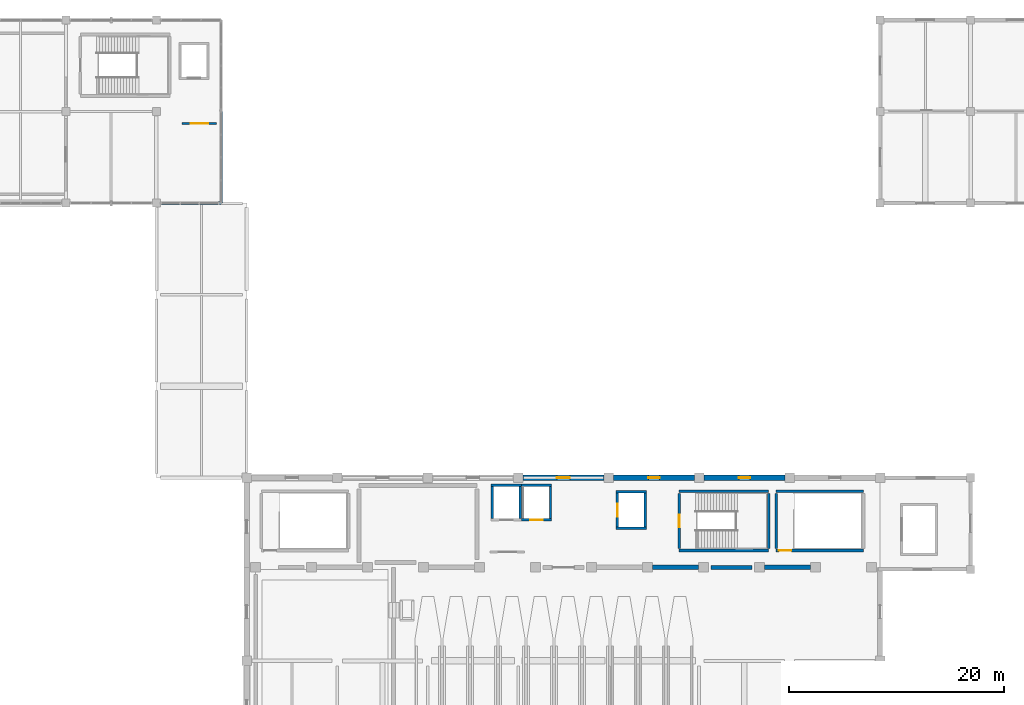
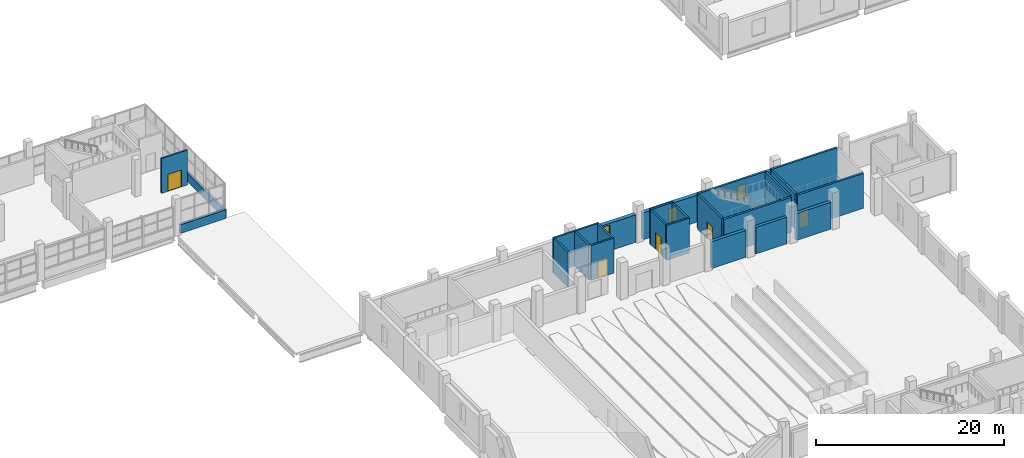
# One storey, part 100 of 117: 26 walls, 5 doors, 3 windows, 8 openings.
"""IFC4 building model written with IfcOpenShell, lengths in metres."""

from ifc_helpers import new_model, si_unit, direction, frame, frame_2d, origin, place, context, subcontext, project, spatial, rectangle, extrude, material, layer, layer_set, type_object, element, fill, save


model = new_model("IFC4")

# Units and contexts
model_context = context("Model", 3, precision=1e-05, world=origin(), true_north=direction((0.0, 1.0)))
body_context = subcontext(model_context, "Body", "Model", "MODEL_VIEW")
ifc_project = project(units=[si_unit("LENGTHUNIT", "METRE"), si_unit("AREAUNIT", "SQUARE_METRE"), si_unit("VOLUMEUNIT", "CUBIC_METRE"), si_unit("PLANEANGLEUNIT", "RADIAN"), si_unit("MASSUNIT", "GRAM", prefix="KILO")], contexts=[model_context])

# Site, building, storey
site_placement = place(None, origin())
site = spatial("IfcSite", under=ifc_project, at=site_placement, CompositionType="ELEMENT")
building_placement = place(site_placement, origin())
building = spatial("IfcBuilding", under=site, at=building_placement, Name="Solvento Point Concert Hall", CompositionType="ELEMENT")
storey_placement = place(building_placement, frame((0.0, 0.0, 5.39990234375)))
storey = spatial("IfcBuildingStorey", under=building, at=storey_placement, Name="L01", CompositionType="ELEMENT", Elevation=5.39990234375)

# Wall, opening, door
ifc_material_1 = material(Name="Acoustic Double-Stud Gypsum Partition")
ifc_layer_1 = layer(ifc_material_1, 0.2080078125)
ifc_layer_set_1 = layer_set([ifc_layer_1], Name="Acoustic Double-Stud Gypsum Partition")
wall_type_1 = type_object("IfcWallType", Name="AcousticPartition_208", PredefinedType="PARTITIONING", material=ifc_layer_set_1)
wall_1_placement = place(storey_placement, frame((68.39990234375, 126.39990234375, 0.0), z_axis=(0.0, 0.0, 1.0), x_axis=(1.0, 0.0, 0.0)))
wall_1 = element("IfcWall", 1, at=wall_1_placement, inside=storey, type_object=wall_type_1, Name="Lift lobby partition LP-03 L01", PredefinedType="PARTITIONING", context=body_context, shape_type="SweptSolid", body=[
    extrude(rectangle(XDim=3.2001953125, YDim=0.2080078125, at=frame_2d((1.60009765625, 0.0))), origin(), (0.0, 0.0, 1.0), 4.530029296875),
])
opening_1_placement = place(wall_1_placement, frame((0.77490234375, 0.0, 0.0)))
opening_1 = element("IfcOpeningElement", 2, at=opening_1_placement, cuts=wall_1, Name="Opening D-FL1", PredefinedType="OPENING", context=body_context, shape_type="SweptSolid", body=[
    extrude(rectangle(XDim=1.64990234375, YDim=2.199951171875, at=frame_2d((0.824951171875, 1.10009765625))), frame((0.0, 0.114013671875, 0.0), z_axis=(0.0, -1.0, 0.0), x_axis=(1.0, 0.0, 0.0)), (0.0, 0.0, 1.0), 0.22802734375),
])
ifc_material_2 = material(Name="Hollow Metal Acoustic Fire Door")
door_type_1 = type_object("IfcDoorType", Name="FireLobbyDoor_1600", OperationType="DOUBLE_DOOR_SINGLE_SWING", PredefinedType="DOOR", material=ifc_material_2)
door_1_placement = place(opening_1_placement, origin())
door_1 = element("IfcDoor", 3, at=door_1_placement, inside=storey, type_object=door_type_1, Name="Lift lobby door LP-03 L01", OperationType="DOUBLE_DOOR_SINGLE_SWING", OverallHeight=2.199951171875, OverallWidth=1.64990234375, PredefinedType="DOOR", context=body_context, shape_type="SweptSolid", body=[
    extrude(rectangle(XDim=1.64990234375, YDim=2.199951171875, at=frame_2d((0.824951171875, 1.10009765625))), frame((0.0, 0.02490234375, 0.0), z_axis=(0.0, -1.0, 0.0), x_axis=(1.0, 0.0, 0.0)), (0.0, 0.0, 1.0), 0.050048828125),
])
fill(opening_1, door_1)

# Walls
ifc_material_3 = material(Name="Acoustic Double-Stud Gypsum Partition")
ifc_layer_2 = layer(ifc_material_3, 0.364990234375)
ifc_layer_set_2 = layer_set([ifc_layer_2], Name="Acoustic Double-Stud Gypsum Partition")
wall_type_2 = type_object("IfcWallType", Name="AcousticPartition_365", PredefinedType="PARTITIONING", material=ifc_layer_set_2)
wall_2_placement = place(storey_placement, frame((117.5, 85.179931640625, 0.0), z_axis=(0.0, 0.0, 1.0), x_axis=(1.0, 0.0, 0.0)))
element("IfcWall", 4, at=wall_2_placement, inside=storey, type_object=wall_type_2, Name="Interior acoustic partition PW-43 L01", PredefinedType="PARTITIONING", context=body_context, shape_type="SweptSolid", body=[
    extrude(rectangle(XDim=3.800048828125, YDim=0.364990234375, at=frame_2d((1.89990234375, 0.0))), origin(), (0.0, 0.0, 1.0), 3.4501953125),
])
ifc_material_4 = material(Name="Concrete C40/50", Category="concrete")
ifc_layer_3 = layer(ifc_material_4, 0.300048828125)
ifc_layer_set_3 = layer_set([ifc_layer_3], Name="Concrete C40/50")
wall_type_3 = type_object("IfcWallType", Name="CoreShearWall_300", PredefinedType="SHEAR", material=ifc_layer_set_3)
for number, where, z_axis, x_axis, name in (
    (5, (122.85009765625, 86.75, 0.0), (0.0, 0.0, 1.0), (-1.0, 0.0, 0.0), "Stair core shear wall W-SH1 ST-03 L01"),
    (6, (114.550048828125, 92.25, 0.0), (0.0, 0.0, 1.0), (1.0, 0.0, 0.0), "Stair core shear wall W-SH1 ST-03 L01"),
):
    element("IfcWall", number, at=place(storey_placement, frame(where, z_axis=z_axis, x_axis=x_axis)), inside=storey, type_object=wall_type_3, Name=name, PredefinedType="SHEAR", context=body_context, shape_type="SweptSolid", body=[
        extrude(rectangle(XDim=8.300048828125, YDim=0.25, at=frame_2d((4.14990234375, 0.0))), origin(), (0.0, 0.0, 1.0), 4.530029296875),
    ])

# Wall, opening, door
wall_3_placement = place(storey_placement, frame((114.550048828125, 86.949951171875, 0.0), z_axis=(0.0, 0.0, 1.0), x_axis=(0.0, 1.0, 0.0)))
wall_3 = element("IfcWall", 7, at=wall_3_placement, inside=storey, type_object=wall_type_3, Name="Stair core shear wall W-SH1 ST-03 L01", PredefinedType="SHEAR", context=body_context, shape_type="SweptSolid", body=[
    extrude(rectangle(XDim=5.10009765625, YDim=0.25, at=frame_2d((2.550048828125, 0.0))), origin(), (0.0, 0.0, 1.0), 4.530029296875),
])
opening_2_placement = place(wall_3_placement, frame((1.97509765625, 0.0, 0.0)))
opening_2 = element("IfcOpeningElement", 8, at=opening_2_placement, cuts=wall_3, Name="Opening D-ST1", PredefinedType="OPENING", context=body_context, shape_type="SweptSolid", body=[
    extrude(rectangle(XDim=1.14990234375, YDim=2.179931640625, at=frame_2d((0.574951171875, 1.08984375))), frame((0.0, 0.135009765625, 0.0), z_axis=(0.0, -1.0, 0.0), x_axis=(1.0, 0.0, 0.0)), (0.0, 0.0, 1.0), 0.27001953125),
])
ifc_material_5 = material(Name="Hollow Metal Acoustic Fire Door")
door_type_2 = type_object("IfcDoorType", Name="StairFireDoor_1150", OperationType="NOTDEFINED", PredefinedType="DOOR", material=ifc_material_5)
door_2_placement = place(opening_2_placement, origin())
door_2 = element("IfcDoor", 9, at=door_2_placement, inside=storey, type_object=door_type_2, Name="Protected exit stair door ST-03 L01", OperationType="SINGLE_SWING_LEFT", OverallHeight=2.179931640625, OverallWidth=1.14990234375, PredefinedType="DOOR", context=body_context, shape_type="SweptSolid", body=[
    extrude(rectangle(XDim=1.14990234375, YDim=2.179931640625, at=frame_2d((0.574951171875, 1.08984375))), frame((0.0, 0.02490234375, 0.0), z_axis=(0.0, -1.0, 0.0), x_axis=(1.0, 0.0, 0.0)), (0.0, 0.0, 1.0), 0.050048828125),
])
fill(opening_2, door_2)

# Wall
wall_4_placement = place(storey_placement, frame((122.85009765625, 92.050048828125, 0.0), z_axis=(0.0, 0.0, 1.0), x_axis=(0.0, -1.0, 0.0)))
element("IfcWall", 10, at=wall_4_placement, inside=storey, type_object=wall_type_3, Name="Stair core shear wall W-SH1 ST-03 L01", PredefinedType="SHEAR", context=body_context, shape_type="SweptSolid", body=[
    extrude(rectangle(XDim=5.10009765625, YDim=0.25, at=frame_2d((2.550048828125, 0.0))), origin(), (0.0, 0.0, 1.0), 4.530029296875),
])

# Wall, opening, door
wall_5_placement = place(storey_placement, frame((131.64990234375, 86.75, 0.0), z_axis=(0.0, 0.0, 1.0), x_axis=(-1.0, 0.0, 0.0)))
wall_5 = element("IfcWall", 11, at=wall_5_placement, inside=storey, type_object=wall_type_3, Name="Stair core shear wall W-SH1 VOM-04 L01", PredefinedType="SHEAR", context=body_context, shape_type="SweptSolid", body=[
    extrude(rectangle(XDim=8.099853515625, YDim=0.25, at=frame_2d((4.0498046875, 0.0))), origin(), (0.0, 0.0, 1.0), 4.530029296875),
])
opening_3_placement = place(wall_5_placement, frame((6.699951171875, 0.0, 0.0)))
opening_3 = element("IfcOpeningElement", 12, at=opening_3_placement, cuts=wall_5, Name="Opening D-ST1", PredefinedType="OPENING", context=body_context, shape_type="SweptSolid", body=[
    extrude(rectangle(XDim=1.14990234375, YDim=2.179931640625, at=frame_2d((0.574951171875, 1.08984375))), frame((0.0, 0.135009765625, 0.0), z_axis=(0.0, -1.0, 0.0), x_axis=(1.0, 0.0, 0.0)), (0.0, 0.0, 1.0), 0.27001953125),
])
door_3_placement = place(opening_3_placement, origin())
door_3 = element("IfcDoor", 13, at=door_3_placement, inside=storey, type_object=door_type_2, Name="Protected exit stair door VOM-04 L01", OperationType="SINGLE_SWING_LEFT", OverallHeight=2.179931640625, OverallWidth=1.14990234375, PredefinedType="DOOR", context=body_context, shape_type="SweptSolid", body=[
    extrude(rectangle(XDim=1.14990234375, YDim=2.179931640625, at=frame_2d((0.574951171875, 1.08984375))), frame((0.0, 0.02490234375, 0.0), z_axis=(0.0, -1.0, 0.0), x_axis=(1.0, 0.0, 0.0)), (0.0, 0.0, 1.0), 0.050048828125),
])
fill(opening_3, door_3)

# Walls
wall_6_placement = place(storey_placement, frame((123.550048828125, 92.25, 0.0), z_axis=(0.0, 0.0, 1.0), x_axis=(1.0, 0.0, 0.0)))
element("IfcWall", 14, at=wall_6_placement, inside=storey, type_object=wall_type_3, Name="Stair core shear wall W-SH1 VOM-04 L01", PredefinedType="SHEAR", context=body_context, shape_type="SweptSolid", body=[
    extrude(rectangle(XDim=8.099853515625, YDim=0.25, at=frame_2d((4.0498046875, 0.0))), origin(), (0.0, 0.0, 1.0), 4.530029296875),
])
wall_7_placement = place(storey_placement, frame((123.550048828125, 86.949951171875, 0.0), z_axis=(0.0, 0.0, 1.0), x_axis=(0.0, 1.0, 0.0)))
element("IfcWall", 15, at=wall_7_placement, inside=storey, type_object=wall_type_3, Name="Stair core shear wall W-SH1 VOM-04 L01", PredefinedType="SHEAR", context=body_context, shape_type="SweptSolid", body=[
    extrude(rectangle(XDim=5.10009765625, YDim=0.25, at=frame_2d((2.550048828125, 0.0))), origin(), (0.0, 0.0, 1.0), 4.530029296875),
])
for number, where, z_axis, x_axis, name in (
    (16, (108.68994140625, 88.800048828125, 0.0), (0.0, 0.0, 1.0), (1.0, 0.0, 0.0), "Elevator shaft shear wall W-SH1 LF-02 L01"),
    (17, (108.68994140625, 92.199951171875, 0.0), (0.0, 0.0, 1.0), (1.0, 0.0, 0.0), "Elevator shaft shear wall W-SH1 LF-02 L01"),
):
    element("IfcWall", number, at=place(storey_placement, frame(where, z_axis=z_axis, x_axis=x_axis)), inside=storey, type_object=wall_type_3, Name=name, PredefinedType="SHEAR", context=body_context, shape_type="SweptSolid", body=[
        extrude(rectangle(XDim=2.820068359375, YDim=0.219970703125, at=frame_2d((1.41015625, 0.0))), origin(), (0.0, 0.0, 1.0), 4.530029296875),
    ])

# Wall, opening, door
wall_8_placement = place(storey_placement, frame((108.800048828125, 88.909912109375, 0.0), z_axis=(0.0, 0.0, 1.0), x_axis=(0.0, 1.0, 0.0)))
wall_8 = element("IfcWall", 18, at=wall_8_placement, inside=storey, type_object=wall_type_3, Name="Elevator shaft shear wall W-SH1 LF-02 L01", PredefinedType="SHEAR", context=body_context, shape_type="SweptSolid", body=[
    extrude(rectangle(XDim=3.18017578125, YDim=0.219970703125, at=frame_2d((1.590087890625, 0.0))), origin(), (0.0, 0.0, 1.0), 4.530029296875),
])
opening_4_placement = place(wall_8_placement, frame((0.989990234375, 0.0, 0.0)))
opening_4 = element("IfcOpeningElement", 19, at=opening_4_placement, cuts=wall_8, Name="Opening LD-01", PredefinedType="OPENING", context=body_context, shape_type="SweptSolid", body=[
    extrude(rectangle(XDim=1.199951171875, YDim=2.25, at=frame_2d((0.60009765625, 1.125))), frame((0.0, 0.119873046875, 0.0), z_axis=(0.0, -1.0, 0.0), x_axis=(1.0, 0.0, 0.0)), (0.0, 0.0, 1.0), 0.239990234375),
])
ifc_material_6 = material(Name="Hollow Metal Acoustic Fire Door")
door_type_3 = type_object("IfcDoorType", Name="LiftLandingDoor_FF", OperationType="SLIDING_TO_LEFT", PredefinedType="DOOR", material=ifc_material_6)
door_4_placement = place(opening_4_placement, origin())
door_4 = element("IfcDoor", 20, at=door_4_placement, inside=storey, type_object=door_type_3, Name="Elevator landing door LF-02 L01", OperationType="SLIDING_TO_LEFT", OverallHeight=2.25, OverallWidth=1.199951171875, PredefinedType="DOOR", context=body_context, shape_type="SweptSolid", body=[
    extrude(rectangle(XDim=1.199951171875, YDim=2.25, at=frame_2d((0.60009765625, 1.125))), frame((0.0, 0.02490234375, 0.0), z_axis=(0.0, -1.0, 0.0), x_axis=(1.0, 0.0, 0.0)), (0.0, 0.0, 1.0), 0.050048828125),
])
fill(opening_4, door_4)

# Walls
wall_9_placement = place(storey_placement, frame((111.39990234375, 88.909912109375, 0.0), z_axis=(0.0, 0.0, 1.0), x_axis=(0.0, 1.0, 0.0)))
element("IfcWall", 21, at=wall_9_placement, inside=storey, type_object=wall_type_3, Name="Elevator shaft shear wall W-SH1 LF-02 L01", PredefinedType="SHEAR", context=body_context, shape_type="SweptSolid", body=[
    extrude(rectangle(XDim=3.18017578125, YDim=0.219970703125, at=frame_2d((1.590087890625, 0.0))), origin(), (0.0, 0.0, 1.0), 4.530029296875),
])
wall_10_placement = place(storey_placement, frame((97.090087890625, 92.800048828125, 0.0), z_axis=(0.0, 0.0, 1.0), x_axis=(1.0, 0.0, 0.0)))
element("IfcWall", 22, at=wall_10_placement, inside=storey, type_object=wall_type_3, Name="Elevator shaft shear wall W-SH1 LP-01 L01", PredefinedType="SHEAR", context=body_context, shape_type="SweptSolid", body=[
    extrude(rectangle(XDim=2.81982421875, YDim=0.219970703125, at=frame_2d((1.409912109375, 0.0))), origin(), (0.0, 0.0, 1.0), 4.530029296875),
])
for number, where, z_axis, x_axis, name in (
    (23, (97.199951171875, 89.7099609375, 0.0), (0.0, 0.0, 1.0), (0.0, 1.0, 0.0), "Elevator shaft shear wall W-SH1 LP-01 L01"),
    (24, (99.800048828125, 89.7099609375, 0.0), (0.0, 0.0, 1.0), (0.0, 1.0, 0.0), "Elevator shaft shear wall W-SH1 LP-01 L01"),
):
    element("IfcWall", number, at=place(storey_placement, frame(where, z_axis=z_axis, x_axis=x_axis)), inside=storey, type_object=wall_type_3, Name=name, PredefinedType="SHEAR", context=body_context, shape_type="SweptSolid", body=[
        extrude(rectangle(XDim=2.97998046875, YDim=0.219970703125, at=frame_2d((1.489990234375, 0.0))), origin(), (0.0, 0.0, 1.0), 4.530029296875),
    ])

# Wall, opening, door
wall_11_placement = place(storey_placement, frame((99.909912109375, 89.60009765625, 0.0), z_axis=(0.0, 0.0, 1.0), x_axis=(1.0, 0.0, 0.0)))
wall_11 = element("IfcWall", 25, at=wall_11_placement, inside=storey, type_object=wall_type_3, Name="Elevator shaft shear wall W-SH1 LP-02 L01", PredefinedType="SHEAR", context=body_context, shape_type="SweptSolid", body=[
    extrude(rectangle(XDim=2.800048828125, YDim=0.219970703125, at=frame_2d((1.39990234375, 0.0))), origin(), (0.0, 0.0, 1.0), 4.530029296875),
])
opening_5_placement = place(wall_11_placement, frame((0.81494140625, 0.0, 0.0)))
opening_5 = element("IfcOpeningElement", 26, at=opening_5_placement, cuts=wall_11, Name="Opening LD-02", PredefinedType="OPENING", context=body_context, shape_type="SweptSolid", body=[
    extrude(rectangle(XDim=1.14990234375, YDim=2.199951171875, at=frame_2d((0.574951171875, 1.10009765625))), frame((0.0, 0.119873046875, 0.0), z_axis=(0.0, -1.0, 0.0), x_axis=(1.0, 0.0, 0.0)), (0.0, 0.0, 1.0), 0.239990234375),
])
ifc_material_7 = material(Name="Hollow Metal Acoustic Fire Door")
door_type_4 = type_object("IfcDoorType", Name="LiftLandingDoor_Pass", OperationType="SLIDING_TO_LEFT", PredefinedType="DOOR", material=ifc_material_7)
door_5_placement = place(opening_5_placement, origin())
door_5 = element("IfcDoor", 27, at=door_5_placement, inside=storey, type_object=door_type_4, Name="Elevator landing door LP-02 L01", OperationType="SLIDING_TO_LEFT", OverallHeight=2.199951171875, OverallWidth=1.14990234375, PredefinedType="DOOR", context=body_context, shape_type="SweptSolid", body=[
    extrude(rectangle(XDim=1.14990234375, YDim=2.199951171875, at=frame_2d((0.574951171875, 1.10009765625))), frame((0.0, 0.02490234375, 0.0), z_axis=(0.0, -1.0, 0.0), x_axis=(1.0, 0.0, 0.0)), (0.0, 0.0, 1.0), 0.050048828125),
])
fill(opening_5, door_5)

# Walls
wall_12_placement = place(storey_placement, frame((99.909912109375, 92.800048828125, 0.0), z_axis=(0.0, 0.0, 1.0), x_axis=(1.0, 0.0, 0.0)))
element("IfcWall", 28, at=wall_12_placement, inside=storey, type_object=wall_type_3, Name="Elevator shaft shear wall W-SH1 LP-02 L01", PredefinedType="SHEAR", context=body_context, shape_type="SweptSolid", body=[
    extrude(rectangle(XDim=2.800048828125, YDim=0.219970703125, at=frame_2d((1.39990234375, 0.0))), origin(), (0.0, 0.0, 1.0), 4.530029296875),
])
wall_13_placement = place(storey_placement, frame((102.60009765625, 89.7099609375, 0.0), z_axis=(0.0, 0.0, 1.0), x_axis=(0.0, 1.0, 0.0)))
element("IfcWall", 29, at=wall_13_placement, inside=storey, type_object=wall_type_3, Name="Elevator shaft shear wall W-SH1 LP-02 L01", PredefinedType="SHEAR", context=body_context, shape_type="SweptSolid", body=[
    extrude(rectangle(XDim=2.97998046875, YDim=0.219970703125, at=frame_2d((1.489990234375, 0.0))), origin(), (0.0, 0.0, 1.0), 4.530029296875),
])
ifc_material_8 = material(Name="Concrete C40/50", Category="concrete")
ifc_layer_4 = layer(ifc_material_8, 0.39990234375)
ifc_layer_set_4 = layer_set([ifc_layer_4], Name="Concrete C40/50")
wall_type_4 = type_object("IfcWallType", Name="DrumShearWall_400", PredefinedType="SHEAR", material=ifc_layer_set_4)
for number, where, z_axis, x_axis, name in (
    (30, (112.080078125, 85.199951171875, 0.0), (0.0, 0.0, 1.0), (1.0, 0.0, 0.0), "Symphonic acoustic drum shear wall W-DR1 L01"),
    (31, (122.47998046875, 85.199951171875, 0.0), (0.0, 0.0, 1.0), (1.0, 0.0, 0.0), "Symphonic acoustic drum shear wall W-DR1 L01"),
):
    element("IfcWall", number, at=place(storey_placement, frame(where, z_axis=z_axis, x_axis=x_axis)), inside=storey, type_object=wall_type_4, Name=name, PredefinedType="SHEAR", context=body_context, shape_type="SweptSolid", body=[
        extrude(rectangle(XDim=4.239990234375, YDim=0.39990234375, at=frame_2d((2.1201171875, 0.0))), origin(), (0.0, 0.0, 1.0), 3.47998046875),
    ])

# Wall, opening, window
ifc_material_9 = material(Name="Concrete C40/50", Category="concrete")
ifc_layer_5 = layer(ifc_material_9, 0.47998046875)
ifc_layer_set_5 = layer_set([ifc_layer_5], Name="Concrete C40/50")
wall_type_5 = type_object("IfcWallType", Name="ExtWall_V1_Drum_480", PredefinedType="SOLIDWALL", material=ifc_layer_set_5)
wall_14_placement = place(storey_placement, frame((100.030029296875, 93.5, 0.0), z_axis=(0.0, 0.0, 1.0), x_axis=(1.0, 0.0, 0.0)))
wall_14 = element("IfcWall", 32, at=wall_14_placement, inside=storey, type_object=wall_type_5, Name="Exterior architectural concrete wall EW-46 L01", PredefinedType="SOLIDWALL", context=body_context, shape_type="SweptSolid", body=[
    extrude(rectangle(XDim=7.5400390625, YDim=0.47998046875, at=frame_2d((3.77001953125, 0.0))), origin(), (0.0, 0.0, 1.0), 3.57421875),
])
opening_6_placement = place(wall_14_placement, frame((3.169921875, 0.0, 0.949951171875)))
opening_6 = element("IfcOpeningElement", 33, at=opening_6_placement, cuts=wall_14, Name="Opening WN-95", PredefinedType="OPENING", context=body_context, shape_type="SweptSolid", body=[
    extrude(rectangle(XDim=1.199951171875, YDim=2.39990234375, at=frame_2d((0.60009765625, 1.199951171875))), frame((0.0, 0.25, 0.0), z_axis=(0.0, -1.0, 0.0), x_axis=(1.0, 0.0, 0.0)), (0.0, 0.0, 1.0), 0.5),
])
ifc_material_10 = material(Name="Hurricane Laminated Low-E Glass", Category="glass")
window_type_1 = type_object("IfcWindowType", Name="Win_V1_DrumSlot_L01", PartitioningType="SINGLE_PANEL", PredefinedType="WINDOW", material=ifc_material_10)
window_1_placement = place(opening_6_placement, origin())
window_1 = element("IfcWindow", 34, at=window_1_placement, inside=storey, type_object=window_type_1, Name="Impact acoustic window WN-95", OverallHeight=2.39990234375, OverallWidth=1.199951171875, PartitioningType="SINGLE_PANEL", PredefinedType="WINDOW", context=body_context, shape_type="SweptSolid", body=[
    extrude(rectangle(XDim=1.199951171875, YDim=2.39990234375, at=frame_2d((0.60009765625, 1.199951171875))), frame((0.0, 0.030029296875, 0.0), z_axis=(0.0, -1.0, 0.0), x_axis=(1.0, 0.0, 0.0)), (0.0, 0.0, 1.0), 0.06005859375),
])
fill(opening_6, window_1)

wall_15_placement = place(storey_placement, frame((108.429931640625, 93.5, 0.0), z_axis=(0.0, 0.0, 1.0), x_axis=(1.0, 0.0, 0.0)))
wall_15 = element("IfcWall", 35, at=wall_15_placement, inside=storey, type_object=wall_type_5, Name="Exterior architectural concrete wall EW-46 L01", PredefinedType="SOLIDWALL", context=body_context, shape_type="SweptSolid", body=[
    extrude(rectangle(XDim=7.5400390625, YDim=0.47998046875, at=frame_2d((3.77001953125, 0.0))), origin(), (0.0, 0.0, 1.0), 3.485107421875),
])
opening_7_placement = place(wall_15_placement, frame((3.2451171875, 0.0, 0.949951171875)))
opening_7 = element("IfcOpeningElement", 36, at=opening_7_placement, cuts=wall_15, Name="Opening WN-89", PredefinedType="OPENING", context=body_context, shape_type="SweptSolid", body=[
    extrude(rectangle(XDim=1.050048828125, YDim=1.800048828125, at=frame_2d((0.52490234375, 0.89990234375))), frame((0.0, 0.25, 0.0), z_axis=(0.0, -1.0, 0.0), x_axis=(1.0, 0.0, 0.0)), (0.0, 0.0, 1.0), 0.5),
])
ifc_material_11 = material(Name="Hurricane Laminated Low-E Glass", Category="glass")
window_type_2 = type_object("IfcWindowType", Name="Win_NarrowPier_1050", PartitioningType="SINGLE_PANEL", PredefinedType="WINDOW", material=ifc_material_11)
window_2_placement = place(opening_7_placement, origin())
window_2 = element("IfcWindow", 37, at=window_2_placement, inside=storey, type_object=window_type_2, Name="Impact acoustic window WN-89", OverallHeight=1.800048828125, OverallWidth=1.050048828125, PartitioningType="SINGLE_PANEL", PredefinedType="WINDOW", context=body_context, shape_type="SweptSolid", body=[
    extrude(rectangle(XDim=1.050048828125, YDim=1.800048828125, at=frame_2d((0.52490234375, 0.89990234375))), frame((0.0, 0.030029296875, 0.0), z_axis=(0.0, -1.0, 0.0), x_axis=(1.0, 0.0, 0.0)), (0.0, 0.0, 1.0), 0.06005859375),
])
fill(opening_7, window_2)

wall_16_placement = place(storey_placement, frame((116.830078125, 93.5, 0.0), z_axis=(0.0, 0.0, 1.0), x_axis=(1.0, 0.0, 0.0)))
wall_16 = element("IfcWall", 38, at=wall_16_placement, inside=storey, type_object=wall_type_5, Name="Exterior architectural concrete wall EW-46 L01", PredefinedType="SOLIDWALL", context=body_context, shape_type="SweptSolid", body=[
    extrude(rectangle(XDim=7.5400390625, YDim=0.47998046875, at=frame_2d((3.77001953125, 0.0))), origin(), (0.0, 0.0, 1.0), 3.4169921875),
])
opening_8_placement = place(wall_16_placement, frame((3.2451171875, 0.0, 0.949951171875)))
opening_8 = element("IfcOpeningElement", 39, at=opening_8_placement, cuts=wall_16, Name="Opening WN-89", PredefinedType="OPENING", context=body_context, shape_type="SweptSolid", body=[
    extrude(rectangle(XDim=1.050048828125, YDim=1.800048828125, at=frame_2d((0.52490234375, 0.89990234375))), frame((0.0, 0.25, 0.0), z_axis=(0.0, -1.0, 0.0), x_axis=(1.0, 0.0, 0.0)), (0.0, 0.0, 1.0), 0.5),
])
window_3_placement = place(opening_8_placement, origin())
window_3 = element("IfcWindow", 40, at=window_3_placement, inside=storey, type_object=window_type_2, Name="Impact acoustic window WN-89", OverallHeight=1.800048828125, OverallWidth=1.050048828125, PartitioningType="SINGLE_PANEL", PredefinedType="WINDOW", context=body_context, shape_type="SweptSolid", body=[
    extrude(rectangle(XDim=1.050048828125, YDim=1.800048828125, at=frame_2d((0.52490234375, 0.89990234375))), frame((0.0, 0.030029296875, 0.0), z_axis=(0.0, -1.0, 0.0), x_axis=(1.0, 0.0, 0.0)), (0.0, 0.0, 1.0), 0.06005859375),
])
fill(opening_8, window_3)

# Walls
ifc_material_12 = material(Name="Concrete C40/50", Category="concrete")
ifc_layer_6 = layer(ifc_material_12, 0.260009765625)
ifc_layer_set_6 = layer_set([ifc_layer_6], Name="Concrete C40/50")
wall_type_6 = type_object("IfcWallType", Name="Parapet_Ring_260", PredefinedType="PARAPET", material=ifc_layer_set_6)
wall_17_placement = place(storey_placement, frame((72.0, 127.5, 0.0), z_axis=(0.0, 0.0, 1.0), x_axis=(0.0, -1.0, 0.0)))
element("IfcWall", 41, at=wall_17_placement, inside=storey, type_object=wall_type_6, Name="Sliding elliptical white concrete ring spandrel PR-01 L01", PredefinedType="PARAPET", context=body_context, shape_type="SweptSolid", body=[
    extrude(rectangle(XDim=8.5, YDim=0.260009765625, at=frame_2d((4.25, 0.0))), origin(), (0.0, 0.0, 1.0), 1.1201171875),
])
wall_18_placement = place(storey_placement, frame((72.0, 119.0, 0.0), z_axis=(0.0, 0.0, 1.0), x_axis=(-1.0, 0.0, 0.0)))
element("IfcWall", 42, at=wall_18_placement, inside=storey, type_object=wall_type_6, Name="Sliding elliptical white concrete ring spandrel PR-01 L01", PredefinedType="PARAPET", context=body_context, shape_type="SweptSolid", body=[
    extrude(rectangle(XDim=5.60498046875, YDim=0.260009765625, at=frame_2d((2.802490234375, 0.0))), origin(), (0.0, 0.0, 1.0), 1.1201171875),
])

save(model, "model.ifc")
